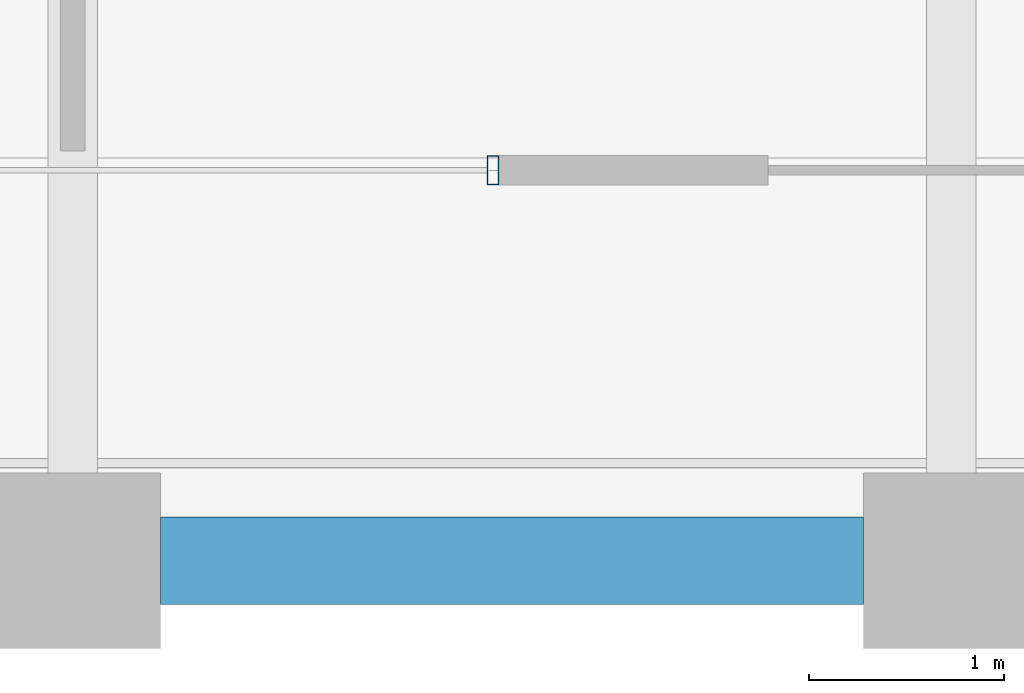
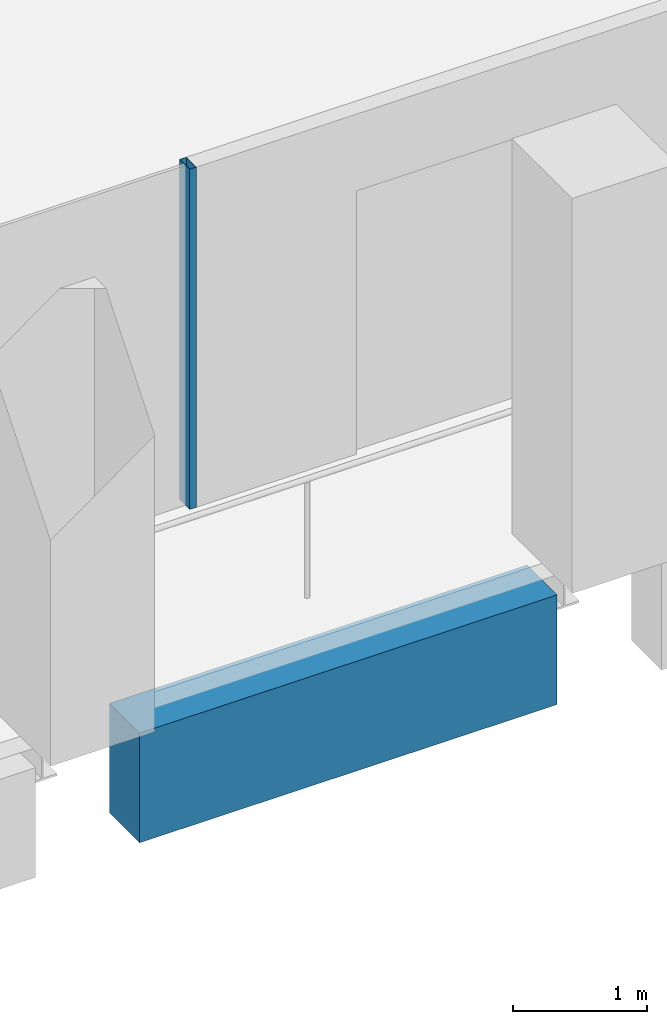
# One storey, part 7 of 40: 1 beam, 1 member, 1 element without a shape of its own.
"""IFC4 building model written with IfcOpenShell, lengths in metres."""

from ifc_helpers import new_model, si_unit, direction, frame, origin, origin_2d, place, context, subcontext, project, spatial, rectangle, hollow_rectangle, extrude, material, material_profile, profile_set, type_object, element, aggregate, save


model = new_model("IFC4")

# Units and contexts
model_context = context("Model", 3, precision=1e-05, world=origin(), true_north=direction((0.0, 1.0)))
body_context = subcontext(model_context, "Body", "Model", "MODEL_VIEW")
ifc_project = project(units=[si_unit("LENGTHUNIT", "METRE"), si_unit("AREAUNIT", "SQUARE_METRE"), si_unit("VOLUMEUNIT", "CUBIC_METRE"), si_unit("PLANEANGLEUNIT", "RADIAN"), si_unit("MASSUNIT", "GRAM", prefix="KILO")], contexts=[model_context])

# Site, building, storey
site_placement = place(None, origin())
site = spatial("IfcSite", under=ifc_project, at=site_placement, CompositionType="ELEMENT")
building_placement = place(site_placement, origin())
building = spatial("IfcBuilding", under=site, at=building_placement, Name="Altepetl Exchange Towers", CompositionType="ELEMENT")
storey_placement = place(building_placement, frame((0.0, 0.0, 172.60009765625)))
storey = spatial("IfcBuildingStorey", under=building, at=storey_placement, Name="L43", CompositionType="ELEMENT", Elevation=172.60009765625)

# Curtain wall, member
ifc_material_1 = material(Name="Aluminium 6063-T6 glazing", Category="aluminium")
curtain_wall_type = type_object("IfcCurtainWallType", Name="Loggia glazing system", PredefinedType="NOTDEFINED", material=ifc_material_1)
curtain_wall_placement = place(storey_placement, origin())
curtain_wall = element("IfcCurtainWall", 1, at=curtain_wall_placement, inside=storey, type_object=curtain_wall_type, Name="CW1 run", PredefinedType="NOTDEFINED")
ifc_material_2 = material(Name="Aluminium 6063-T6", Category="aluminium")
ifc_material_profile_1 = material_profile(ifc_material_2, hollow_rectangle(XDim=0.06005859375, YDim=0.14990234375, WallThickness=0.0029296875, at=origin_2d()), Name="Mullion 60x150 aluminium")
ifc_profile_set_1 = profile_set([ifc_material_profile_1], Name="Aluminium 6063-T6")
member_type = type_object("IfcMemberType", Name="Mullion 60x150 aluminium", PredefinedType="MULLION", material=ifc_profile_set_1)
member_placement = place(storey_placement, frame((47.152099609375, 29.0, 0.0)))
member = element("IfcMember", 2, at=member_placement, type_object=member_type, Name="MU1 mullion", PredefinedType="MULLION", context=body_context, shape_type="SweptSolid", body=[
    extrude(hollow_rectangle(XDim=0.06005859375, YDim=0.14990234375, WallThickness=0.0029296875, at=origin_2d()), origin(), (0.0, 0.0, 1.0), 3.099853515625),
])
aggregate(curtain_wall, [member])

# Beam
ifc_material_3 = material(Name="Concrete C50/60 precast with cantera blanca facing", Category="concrete")
ifc_material_profile_2 = material_profile(ifc_material_3, rectangle(XDim=0.449951171875, YDim=1.0, at=origin_2d()), Name="450 x 1000")
ifc_profile_set_2 = profile_set([ifc_material_profile_2], Name="Concrete C50/60 precast with cantera blanca facing")
beam_type = type_object("IfcBeamType", Name="Spandrel beam 450x1000 cantera blanca", PredefinedType="SPANDREL", material=ifc_profile_set_2)
beam_placement = place(storey_placement, frame((45.449951171875, 27.0, -0.650146484375), z_axis=(1.0, 0.0, 0.0), x_axis=(0.0, 1.0, 0.0)))
element("IfcBeam", 3, at=beam_placement, inside=storey, type_object=beam_type, Name="sp:A:L43:003", PredefinedType="SPANDREL", context=body_context, shape_type="SweptSolid", body=[
    extrude(rectangle(XDim=0.449951171875, YDim=1.0, at=origin_2d()), origin(), (0.0, 0.0, 1.0), 3.60009765625),
])

save(model, "model.ifc")
